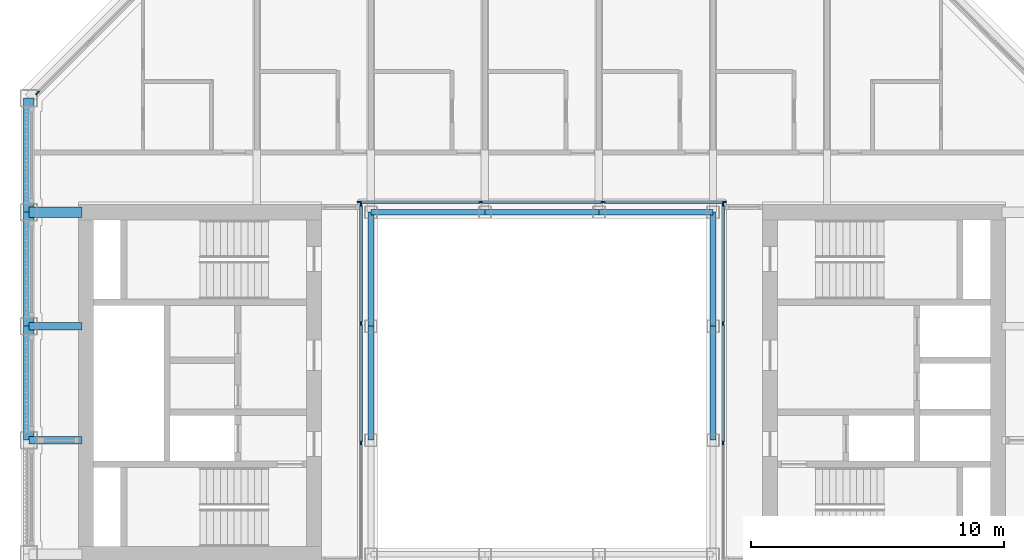
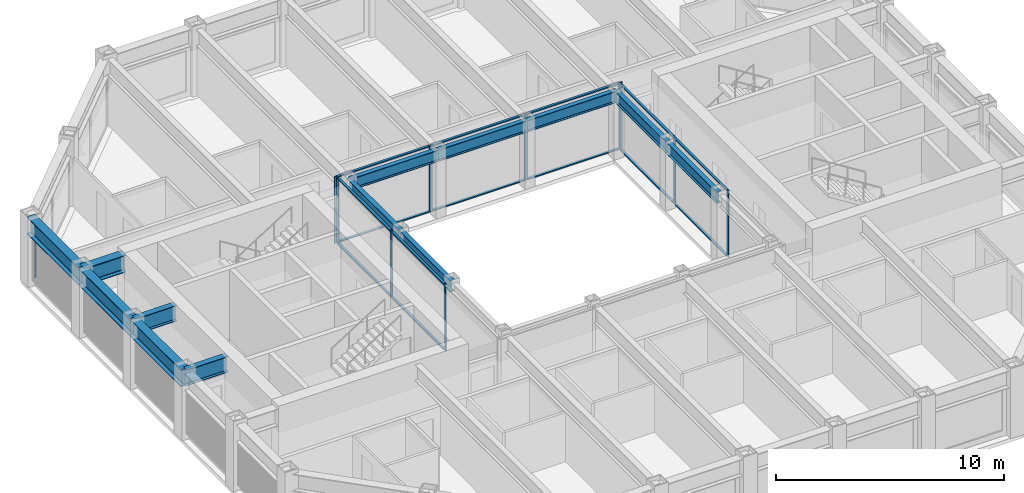
# One storey, part 4 of 18: 25 members, 13 beams, 4 elements without a shape of their own.
"""IFC4 building model written with IfcOpenShell, lengths in metres."""

from ifc_helpers import new_model, si_unit, direction, frame, origin, origin_2d, place, context, subcontext, project, spatial, rectangle, i_section, extrude, material, material_profile, profile_set, type_object, element, aggregate, save


model = new_model("IFC4")

# Units and contexts
model_context = context("Model", 3, precision=1e-05, world=origin(), true_north=direction((0.0, 1.0)))
body_context = subcontext(model_context, "Body", "Model", "MODEL_VIEW")
ifc_project = project(units=[si_unit("LENGTHUNIT", "METRE"), si_unit("AREAUNIT", "SQUARE_METRE"), si_unit("VOLUMEUNIT", "CUBIC_METRE"), si_unit("PLANEANGLEUNIT", "RADIAN"), si_unit("MASSUNIT", "GRAM", prefix="KILO")], contexts=[model_context])

# Site, building, storey
site_placement = place(None, origin())
site = spatial("IfcSite", under=ifc_project, at=site_placement, CompositionType="ELEMENT")
building_placement = place(site_placement, origin())
building = spatial("IfcBuilding", under=site, at=building_placement, Name="Msasa Ring Tower", CompositionType="ELEMENT")
storey_placement = place(building_placement, frame((0.0, 0.0, 208.300048828125)))
storey = spatial("IfcBuildingStorey", under=building, at=storey_placement, Name="L54", CompositionType="ELEMENT", Elevation=208.300048828125)

# Curtain wall, member
ifc_material_1 = material(Name="Aluminium curtain wall with clear glass", Category="aluminium")
curtain_wall_type_1 = type_object("IfcCurtainWallType", Name="CW-C CHAMFER CORNER CURTAIN WALL", PredefinedType="NOTDEFINED", material=ifc_material_1)
curtain_wall_1_placement = place(storey_placement, origin())
curtain_wall_1 = element("IfcCurtainWall", 1, at=curtain_wall_1_placement, inside=storey, type_object=curtain_wall_type_1, Name="Chamfer corner curtain wall NW L54", PredefinedType="NOTDEFINED")
ifc_material_2 = material(Name="Aluminium mullion", Category="aluminium")
ifc_material_profile_1 = material_profile(ifc_material_2, rectangle(XDim=0.06494140625, YDim=0.179931640625, at=origin_2d()), Name="AL 65x180")
ifc_profile_set_1 = profile_set([ifc_material_profile_1], Name="Aluminium mullion")
member_type_1 = type_object("IfcMemberType", Name="CW-C MULLION 65x180", PredefinedType="MULLION", material=ifc_profile_set_1)
member_1_placement = place(storey_placement, frame((-19.9052734375, 11.453369140625, 0.0), z_axis=(0.0, 0.0, 1.0), x_axis=(0.707106781187, -0.707106781187, 0.0)))
member_1 = element("IfcMember", 2, at=member_1_placement, type_object=member_type_1, Name="CW-C mullion 3", PredefinedType="MULLION", context=body_context, shape_type="SweptSolid", body=[
    extrude(rectangle(XDim=0.06494140625, YDim=0.179931640625, at=origin_2d()), origin(), (0.0, 0.0, 1.0), 2.62890625),
])
aggregate(curtain_wall_1, [member_1])

# Curtain wall, members
ifc_material_3 = material(Name="Aluminium curtain wall with clear glass", Category="aluminium")
curtain_wall_type_2 = type_object("IfcCurtainWallType", Name="CW-W LIGHT WELL CURTAIN WALL", PredefinedType="NOTDEFINED", material=ifc_material_3)
curtain_wall_2_placement = place(storey_placement, origin())
curtain_wall_2 = element("IfcCurtainWall", 3, at=curtain_wall_2_placement, inside=storey, type_object=curtain_wall_type_2, Name="Light well curtain wall N L54", PredefinedType="NOTDEFINED")
ifc_material_4 = material(Name="Aluminium mullion", Category="aluminium")
ifc_material_profile_2 = material_profile(ifc_material_4, rectangle(XDim=0.06005859375, YDim=0.159912109375, at=origin_2d()), Name="AL 60x160")
ifc_profile_set_2 = profile_set([ifc_material_profile_2], Name="Aluminium mullion")
member_type_2 = type_object("IfcMemberType", Name="CW-W MULLION 60x160", PredefinedType="MULLION", material=ifc_profile_set_2)
member_2_placement = place(storey_placement, frame((-7.199951171875, 7.14990234375, 0.0), z_axis=(0.0, 0.0, 1.0), x_axis=(0.0, 1.0, 0.0)))
member_2 = element("IfcMember", 4, at=member_2_placement, type_object=member_type_2, Name="CW-W mullion 1", PredefinedType="MULLION", context=body_context, shape_type="SweptSolid", body=[
    extrude(rectangle(XDim=0.06005859375, YDim=0.159912109375, at=origin_2d()), origin(), (0.0, 0.0, 1.0), 3.550048828125),
])
member_3_placement = place(storey_placement, frame((-2.409912109375, 7.14990234375, 0.0), z_axis=(0.0, 0.0, 1.0), x_axis=(0.0, 1.0, 0.0)))
member_3 = element("IfcMember", 5, at=member_3_placement, type_object=member_type_2, Name="CW-W mullion 2", PredefinedType="MULLION", context=body_context, shape_type="SweptSolid", body=[
    extrude(rectangle(XDim=0.06005859375, YDim=0.159912109375, at=origin_2d()), origin(), (0.0, 0.0, 1.0), 3.550048828125),
])
member_4_placement = place(storey_placement, frame((2.409912109375, 7.14990234375, 0.0), z_axis=(0.0, 0.0, 1.0), x_axis=(0.0, 1.0, 0.0)))
member_4 = element("IfcMember", 6, at=member_4_placement, type_object=member_type_2, Name="CW-W mullion 3", PredefinedType="MULLION", context=body_context, shape_type="SweptSolid", body=[
    extrude(rectangle(XDim=0.06005859375, YDim=0.159912109375, at=origin_2d()), origin(), (0.0, 0.0, 1.0), 3.550048828125),
])
member_5_placement = place(storey_placement, frame((7.199951171875, 7.14990234375, 0.0), z_axis=(0.0, 0.0, 1.0), x_axis=(0.0, 1.0, 0.0)))
member_5 = element("IfcMember", 7, at=member_5_placement, type_object=member_type_2, Name="CW-W mullion 4", PredefinedType="MULLION", context=body_context, shape_type="SweptSolid", body=[
    extrude(rectangle(XDim=0.06005859375, YDim=0.159912109375, at=origin_2d()), origin(), (0.0, 0.0, 1.0), 3.550048828125),
])

curtain_wall_3_placement = place(storey_placement, origin())
curtain_wall_3 = element("IfcCurtainWall", 8, at=curtain_wall_3_placement, inside=storey, type_object=curtain_wall_type_2, Name="Light well curtain wall E L54", PredefinedType="NOTDEFINED")
member_6_placement = place(storey_placement, frame((7.14990234375, -2.356689453125, 0.0), z_axis=(0.0, 0.0, 1.0), x_axis=(-1.0, 0.0, 0.0)))
member_6 = element("IfcMember", 9, at=member_6_placement, type_object=member_type_2, Name="CW-W mullion 2", PredefinedType="MULLION", context=body_context, shape_type="SweptSolid", body=[
    extrude(rectangle(XDim=0.06005859375, YDim=0.159912109375, at=origin_2d()), origin(), (0.0, 0.0, 1.0), 3.550048828125),
])
member_7_placement = place(storey_placement, frame((7.14990234375, 2.356689453125, 0.0), z_axis=(0.0, 0.0, 1.0), x_axis=(-1.0, 0.0, 0.0)))
member_7 = element("IfcMember", 10, at=member_7_placement, type_object=member_type_2, Name="CW-W mullion 3", PredefinedType="MULLION", context=body_context, shape_type="SweptSolid", body=[
    extrude(rectangle(XDim=0.06005859375, YDim=0.159912109375, at=origin_2d()), origin(), (0.0, 0.0, 1.0), 3.550048828125),
])
member_8_placement = place(storey_placement, frame((7.14990234375, 7.0400390625, 0.0), z_axis=(0.0, 0.0, 1.0), x_axis=(-1.0, 0.0, 0.0)))
member_8 = element("IfcMember", 11, at=member_8_placement, type_object=member_type_2, Name="CW-W mullion 4", PredefinedType="MULLION", context=body_context, shape_type="SweptSolid", body=[
    extrude(rectangle(XDim=0.06005859375, YDim=0.159912109375, at=origin_2d()), origin(), (0.0, 0.0, 1.0), 3.550048828125),
])

curtain_wall_4_placement = place(storey_placement, origin())
curtain_wall_4 = element("IfcCurtainWall", 12, at=curtain_wall_4_placement, inside=storey, type_object=curtain_wall_type_2, Name="Light well curtain wall W L54", PredefinedType="NOTDEFINED")
member_9_placement = place(storey_placement, frame((-7.14990234375, -2.356689453125, 0.0), z_axis=(0.0, 0.0, 1.0), x_axis=(-1.0, 0.0, 0.0)))
member_9 = element("IfcMember", 13, at=member_9_placement, type_object=member_type_2, Name="CW-W mullion 2", PredefinedType="MULLION", context=body_context, shape_type="SweptSolid", body=[
    extrude(rectangle(XDim=0.06005859375, YDim=0.159912109375, at=origin_2d()), origin(), (0.0, 0.0, 1.0), 3.550048828125),
])
member_10_placement = place(storey_placement, frame((-7.14990234375, 2.356689453125, 0.0), z_axis=(0.0, 0.0, 1.0), x_axis=(-1.0, 0.0, 0.0)))
member_10 = element("IfcMember", 14, at=member_10_placement, type_object=member_type_2, Name="CW-W mullion 3", PredefinedType="MULLION", context=body_context, shape_type="SweptSolid", body=[
    extrude(rectangle(XDim=0.06005859375, YDim=0.159912109375, at=origin_2d()), origin(), (0.0, 0.0, 1.0), 3.550048828125),
])
member_11_placement = place(storey_placement, frame((-7.14990234375, 7.0400390625, 0.0), z_axis=(0.0, 0.0, 1.0), x_axis=(-1.0, 0.0, 0.0)))
member_11 = element("IfcMember", 15, at=member_11_placement, type_object=member_type_2, Name="CW-W mullion 4", PredefinedType="MULLION", context=body_context, shape_type="SweptSolid", body=[
    extrude(rectangle(XDim=0.06005859375, YDim=0.159912109375, at=origin_2d()), origin(), (0.0, 0.0, 1.0), 3.550048828125),
])

# Member
ifc_material_5 = material(Name="Aluminium transom", Category="aluminium")
ifc_material_profile_3 = material_profile(ifc_material_5, rectangle(XDim=0.1201171875, YDim=0.06005859375, at=origin_2d()), Name="AL 60x120")
ifc_profile_set_3 = profile_set([ifc_material_profile_3], Name="Aluminium transom")
member_type_3 = type_object("IfcMemberType", Name="CW-W TRANSOM 60x120", PredefinedType="USERDEFINED", material=ifc_profile_set_3)
member_12_placement = place(storey_placement, frame((-7.169921875, 7.14990234375, 0.030029296875), z_axis=(1.0, 0.0, 0.0), x_axis=(0.0, 1.0, 0.0)))
member_12 = element("IfcMember", 16, at=member_12_placement, type_object=member_type_3, Name="CW-W transom 1.1", ObjectType="TRANSOM", PredefinedType="USERDEFINED", context=body_context, shape_type="SweptSolid", body=[
    extrude(rectangle(XDim=0.1201171875, YDim=0.06005859375, at=origin_2d()), origin(), (0.0, 0.0, 1.0), 4.72998046875),
])

member_13_placement = place(storey_placement, frame((-7.169921875, 7.14990234375, 3.52001953125), z_axis=(1.0, 0.0, 0.0), x_axis=(0.0, 1.0, 0.0)))
member_13 = element("IfcMember", 17, at=member_13_placement, type_object=member_type_3, Name="CW-W transom 1.2", ObjectType="TRANSOM", PredefinedType="USERDEFINED", context=body_context, shape_type="SweptSolid", body=[
    extrude(rectangle(XDim=0.1201171875, YDim=0.06005859375, at=origin_2d()), origin(), (0.0, 0.0, 1.0), 4.72998046875),
])

member_14_placement = place(storey_placement, frame((-2.3798828125, 7.14990234375, 0.030029296875), z_axis=(1.0, 0.0, 0.0), x_axis=(0.0, 1.0, 0.0)))
member_14 = element("IfcMember", 18, at=member_14_placement, type_object=member_type_3, Name="CW-W transom 2.1", ObjectType="TRANSOM", PredefinedType="USERDEFINED", context=body_context, shape_type="SweptSolid", body=[
    extrude(rectangle(XDim=0.1201171875, YDim=0.06005859375, at=origin_2d()), origin(), (0.0, 0.0, 1.0), 4.759765625),
])

member_15_placement = place(storey_placement, frame((-2.3798828125, 7.14990234375, 3.52001953125), z_axis=(1.0, 0.0, 0.0), x_axis=(0.0, 1.0, 0.0)))
member_15 = element("IfcMember", 19, at=member_15_placement, type_object=member_type_3, Name="CW-W transom 2.2", ObjectType="TRANSOM", PredefinedType="USERDEFINED", context=body_context, shape_type="SweptSolid", body=[
    extrude(rectangle(XDim=0.1201171875, YDim=0.06005859375, at=origin_2d()), origin(), (0.0, 0.0, 1.0), 4.759765625),
])

member_16_placement = place(storey_placement, frame((2.43994140625, 7.14990234375, 0.030029296875), z_axis=(1.0, 0.0, 0.0), x_axis=(0.0, 1.0, 0.0)))
member_16 = element("IfcMember", 20, at=member_16_placement, type_object=member_type_3, Name="CW-W transom 3.1", ObjectType="TRANSOM", PredefinedType="USERDEFINED", context=body_context, shape_type="SweptSolid", body=[
    extrude(rectangle(XDim=0.1201171875, YDim=0.06005859375, at=origin_2d()), origin(), (0.0, 0.0, 1.0), 4.72998046875),
])

member_17_placement = place(storey_placement, frame((2.43994140625, 7.14990234375, 3.52001953125), z_axis=(1.0, 0.0, 0.0), x_axis=(0.0, 1.0, 0.0)))
member_17 = element("IfcMember", 21, at=member_17_placement, type_object=member_type_3, Name="CW-W transom 3.2", ObjectType="TRANSOM", PredefinedType="USERDEFINED", context=body_context, shape_type="SweptSolid", body=[
    extrude(rectangle(XDim=0.1201171875, YDim=0.06005859375, at=origin_2d()), origin(), (0.0, 0.0, 1.0), 4.72998046875),
])

aggregate(curtain_wall_2, [member_2, member_3, member_4, member_5, member_12, member_13, member_14, member_15, member_16, member_17])

member_18_placement = place(storey_placement, frame((7.14990234375, -2.32666015625, 0.030029296875), z_axis=(0.0, 1.0, 0.0), x_axis=(-1.0, 0.0, 0.0)))
member_18 = element("IfcMember", 22, at=member_18_placement, type_object=member_type_3, Name="CW-W transom 2.1", ObjectType="TRANSOM", PredefinedType="USERDEFINED", context=body_context, shape_type="SweptSolid", body=[
    extrude(rectangle(XDim=0.1201171875, YDim=0.06005859375, at=origin_2d()), origin(), (0.0, 0.0, 1.0), 4.6533203125),
])

member_19_placement = place(storey_placement, frame((7.14990234375, -2.32666015625, 3.52001953125), z_axis=(0.0, 1.0, 0.0), x_axis=(-1.0, 0.0, 0.0)))
member_19 = element("IfcMember", 23, at=member_19_placement, type_object=member_type_3, Name="CW-W transom 2.2", ObjectType="TRANSOM", PredefinedType="USERDEFINED", context=body_context, shape_type="SweptSolid", body=[
    extrude(rectangle(XDim=0.1201171875, YDim=0.06005859375, at=origin_2d()), origin(), (0.0, 0.0, 1.0), 4.6533203125),
])

member_20_placement = place(storey_placement, frame((7.14990234375, 2.38671875, 0.030029296875), z_axis=(0.0, 1.0, 0.0), x_axis=(-1.0, 0.0, 0.0)))
member_20 = element("IfcMember", 24, at=member_20_placement, type_object=member_type_3, Name="CW-W transom 3.1", ObjectType="TRANSOM", PredefinedType="USERDEFINED", context=body_context, shape_type="SweptSolid", body=[
    extrude(rectangle(XDim=0.1201171875, YDim=0.06005859375, at=origin_2d()), origin(), (0.0, 0.0, 1.0), 4.623291015625),
])

member_21_placement = place(storey_placement, frame((7.14990234375, 2.38671875, 3.52001953125), z_axis=(0.0, 1.0, 0.0), x_axis=(-1.0, 0.0, 0.0)))
member_21 = element("IfcMember", 25, at=member_21_placement, type_object=member_type_3, Name="CW-W transom 3.2", ObjectType="TRANSOM", PredefinedType="USERDEFINED", context=body_context, shape_type="SweptSolid", body=[
    extrude(rectangle(XDim=0.1201171875, YDim=0.06005859375, at=origin_2d()), origin(), (0.0, 0.0, 1.0), 4.623291015625),
])

aggregate(curtain_wall_3, [member_6, member_7, member_8, member_18, member_19, member_20, member_21])

member_22_placement = place(storey_placement, frame((-7.14990234375, -2.32666015625, 0.030029296875), z_axis=(0.0, 1.0, 0.0), x_axis=(-1.0, 0.0, 0.0)))
member_22 = element("IfcMember", 26, at=member_22_placement, type_object=member_type_3, Name="CW-W transom 2.1", ObjectType="TRANSOM", PredefinedType="USERDEFINED", context=body_context, shape_type="SweptSolid", body=[
    extrude(rectangle(XDim=0.1201171875, YDim=0.06005859375, at=origin_2d()), origin(), (0.0, 0.0, 1.0), 4.6533203125),
])

member_23_placement = place(storey_placement, frame((-7.14990234375, -2.32666015625, 3.52001953125), z_axis=(0.0, 1.0, 0.0), x_axis=(-1.0, 0.0, 0.0)))
member_23 = element("IfcMember", 27, at=member_23_placement, type_object=member_type_3, Name="CW-W transom 2.2", ObjectType="TRANSOM", PredefinedType="USERDEFINED", context=body_context, shape_type="SweptSolid", body=[
    extrude(rectangle(XDim=0.1201171875, YDim=0.06005859375, at=origin_2d()), origin(), (0.0, 0.0, 1.0), 4.6533203125),
])

member_24_placement = place(storey_placement, frame((-7.14990234375, 2.38671875, 0.030029296875), z_axis=(0.0, 1.0, 0.0), x_axis=(-1.0, 0.0, 0.0)))
member_24 = element("IfcMember", 28, at=member_24_placement, type_object=member_type_3, Name="CW-W transom 3.1", ObjectType="TRANSOM", PredefinedType="USERDEFINED", context=body_context, shape_type="SweptSolid", body=[
    extrude(rectangle(XDim=0.1201171875, YDim=0.06005859375, at=origin_2d()), origin(), (0.0, 0.0, 1.0), 4.623291015625),
])

member_25_placement = place(storey_placement, frame((-7.14990234375, 2.38671875, 3.52001953125), z_axis=(0.0, 1.0, 0.0), x_axis=(-1.0, 0.0, 0.0)))
member_25 = element("IfcMember", 29, at=member_25_placement, type_object=member_type_3, Name="CW-W transom 3.2", ObjectType="TRANSOM", PredefinedType="USERDEFINED", context=body_context, shape_type="SweptSolid", body=[
    extrude(rectangle(XDim=0.1201171875, YDim=0.06005859375, at=origin_2d()), origin(), (0.0, 0.0, 1.0), 4.623291015625),
])

aggregate(curtain_wall_4, [member_9, member_10, member_11, member_22, member_23, member_24, member_25])

# Beams
ifc_material_6 = material(Name="Steel S355", Category="steel")
ifc_material_profile_4 = material_profile(ifc_material_6, i_section(OverallWidth=0.293701171875, OverallDepth=0.850830078125, WebThickness=0.01611328125, FlangeThickness=0.02685546875, FilletRadius=0.017822265625, at=origin_2d()), Name="UB 838x292x226")
ifc_profile_set_4 = profile_set([ifc_material_profile_4], Name="Steel S355")
beam_type_1 = type_object("IfcBeamType", Name="FB5 UB 838x292x226", PredefinedType="BEAM", material=ifc_profile_set_4)
for number, where, z_axis, x_axis, name in (
    (30, (-20.25, -2.25, 3.12451171875), (1.0, 0.0, 0.0), (0.0, 1.0, 0.0), "Floor beam W -2.25 under L55"),
    (31, (-20.25, 2.25, 3.12451171875), (1.0, 0.0, 0.0), (0.0, 1.0, 0.0), "Floor beam W +2.25 under L55"),
):
    element("IfcBeam", number, at=place(storey_placement, frame(where, z_axis=z_axis, x_axis=x_axis)), inside=storey, type_object=beam_type_1, Name=name, PredefinedType="BEAM", context=body_context, shape_type="SweptSolid", body=[
        extrude(i_section(OverallWidth=0.293701171875, OverallDepth=0.850830078125, WebThickness=0.01611328125, FlangeThickness=0.02685546875, FilletRadius=0.017822265625, at=origin_2d()), origin(), (0.0, 0.0, 1.0), 2.10009765625),
    ])
ifc_material_7 = material(Name="Steel S355", Category="steel")
ifc_material_profile_5 = material_profile(ifc_material_7, i_section(OverallWidth=0.42041015625, OverallDepth=0.9208984375, WebThickness=0.021484375, FlangeThickness=0.03662109375, FilletRadius=0.024169921875, at=origin_2d()), Name="UB 914x419x388")
ifc_profile_set_5 = profile_set([ifc_material_profile_5], Name="Steel S355")
beam_type_2 = type_object("IfcBeamType", Name="GB1 UB 914x419x388", PredefinedType="BEAM", material=ifc_profile_set_5)
beam_placement = place(storey_placement, frame((-18.14990234375, 6.75, 3.08935546875), z_axis=(-1.0, 0.0, 0.0), x_axis=(0.0, -1.0, 0.0)))
element("IfcBeam", 32, at=beam_placement, inside=storey, type_object=beam_type_2, Name="Girder W +6.75 under L55", PredefinedType="BEAM", context=body_context, shape_type="SweptSolid", body=[
    extrude(i_section(OverallWidth=0.42041015625, OverallDepth=0.9208984375, WebThickness=0.021484375, FlangeThickness=0.03662109375, FilletRadius=0.024169921875, at=origin_2d()), origin(), (0.0, 0.0, 1.0), 2.10009765625),
])
ifc_material_8 = material(Name="Steel S355", Category="steel")
ifc_material_profile_6 = material_profile(ifc_material_8, i_section(OverallWidth=0.230224609375, OverallDepth=0.6171875, WebThickness=0.01318359375, FlangeThickness=0.022216796875, FilletRadius=0.0126953125, at=origin_2d()), Name="UB 610x229x140")
ifc_profile_set_6 = profile_set([ifc_material_profile_6], Name="Steel S355")
beam_type_3 = type_object("IfcBeamType", Name="RB1 UB 610x229x140", PredefinedType="BEAM", material=ifc_profile_set_6)
for number, where, z_axis, x_axis, name in (
    (33, (6.75, -2.25, 3.241455078125), (0.0, 1.0, 0.0), (-1.0, 0.0, 0.0), "Inner ring beam IR+6.75-2.25 under L55"),
    (34, (6.75, 2.25, 3.241455078125), (0.0, 1.0, 0.0), (-1.0, 0.0, 0.0), "Inner ring beam IR+6.75+2.25 under L55"),
    (35, (6.75, 6.75, 3.241455078125), (-1.0, 0.0, 0.0), (0.0, -1.0, 0.0), "Inner ring beam IR+6.75+6.75 under L55"),
    (36, (2.25, 6.75, 3.241455078125), (-1.0, 0.0, 0.0), (0.0, -1.0, 0.0), "Inner ring beam IR+2.25+6.75 under L55"),
    (37, (-2.25, 6.75, 3.241455078125), (-1.0, 0.0, 0.0), (0.0, -1.0, 0.0), "Inner ring beam IR-2.25+6.75 under L55"),
    (38, (-6.75, 6.75, 3.241455078125), (0.0, -1.0, 0.0), (1.0, 0.0, 0.0), "Inner ring beam IR-6.75+6.75 under L55"),
    (39, (-6.75, 2.25, 3.241455078125), (0.0, -1.0, 0.0), (1.0, 0.0, 0.0), "Inner ring beam IR-6.75+2.25 under L55"),
):
    element("IfcBeam", number, at=place(storey_placement, frame(where, z_axis=z_axis, x_axis=x_axis)), inside=storey, type_object=beam_type_3, Name=name, PredefinedType="BEAM", context=body_context, shape_type="SweptSolid", body=[
        extrude(i_section(OverallWidth=0.230224609375, OverallDepth=0.6171875, WebThickness=0.01318359375, FlangeThickness=0.022216796875, FilletRadius=0.0126953125, at=origin_2d()), origin(), (0.0, 0.0, 1.0), 4.5),
    ])
ifc_material_9 = material(Name="Steel S355", Category="steel")
ifc_material_profile_7 = material_profile(ifc_material_9, i_section(OverallWidth=0.42041015625, OverallDepth=0.9208984375, WebThickness=0.021484375, FlangeThickness=0.03662109375, FilletRadius=0.024169921875, at=origin_2d()), Name="UB 914x419x388")
ifc_profile_set_7 = profile_set([ifc_material_profile_7], Name="Steel S355")
beam_type_4 = type_object("IfcBeamType", Name="SB1 UB 914x419x388", PredefinedType="SPANDREL", material=ifc_profile_set_7)
for number, where, z_axis, x_axis, name in (
    (40, (-20.25, 11.25, 3.08935546875), (0.0, -1.0, 0.0), (1.0, 0.0, 0.0), "Spandrel W+11.25 to W+6.75 under L55"),
    (41, (-20.25, 6.75, 3.08935546875), (0.0, -1.0, 0.0), (1.0, 0.0, 0.0), "Spandrel W+6.75 to W+2.25 under L55"),
    (42, (-20.25, 2.25, 3.08935546875), (0.0, -1.0, 0.0), (1.0, 0.0, 0.0), "Spandrel W+2.25 to W-2.25 under L55"),
):
    element("IfcBeam", number, at=place(storey_placement, frame(where, z_axis=z_axis, x_axis=x_axis)), inside=storey, type_object=beam_type_4, Name=name, PredefinedType="SPANDREL", context=body_context, shape_type="SweptSolid", body=[
        extrude(i_section(OverallWidth=0.42041015625, OverallDepth=0.9208984375, WebThickness=0.021484375, FlangeThickness=0.03662109375, FilletRadius=0.024169921875, at=origin_2d()), origin(), (0.0, 0.0, 1.0), 4.5),
    ])

save(model, "model.ifc")
